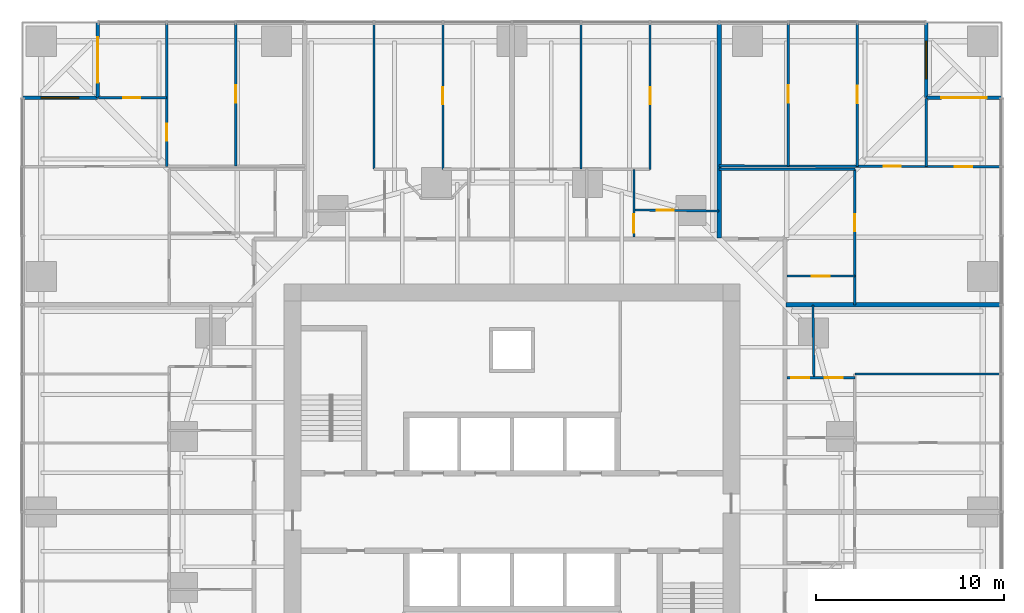
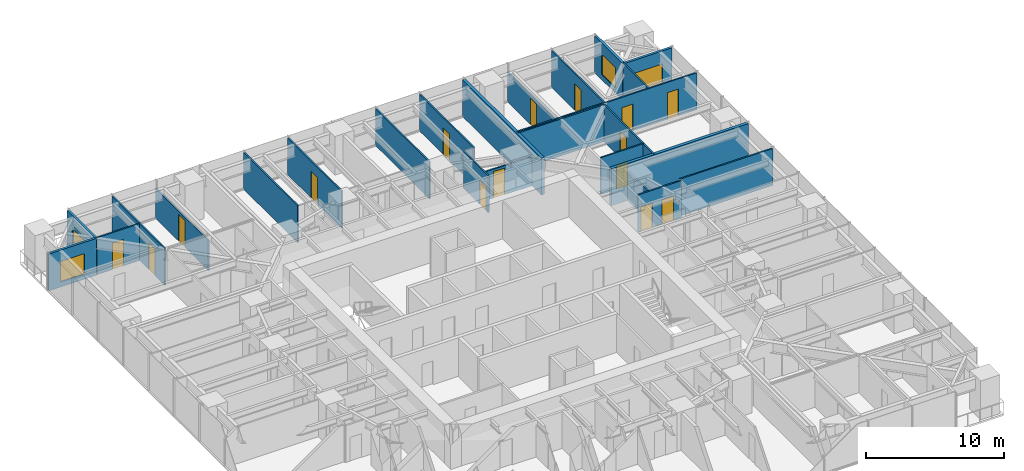
# One storey, part 14 of 16: 25 walls, 17 doors, 2 windows, 19 openings.
"""IFC4 building model written with IfcOpenShell, lengths in metres."""

from ifc_helpers import new_model, si_unit, direction, frame, frame_2d, origin, place, context, subcontext, project, spatial, rectangle, extrude, material, layer, layer_set, type_object, element, fill, save


model = new_model("IFC4")

# Units and contexts
model_context = context("Model", 3, precision=1e-05, world=origin(), true_north=direction((0.0, 1.0)))
body_context = subcontext(model_context, "Body", "Model", "MODEL_VIEW")
ifc_project = project(units=[si_unit("LENGTHUNIT", "METRE"), si_unit("AREAUNIT", "SQUARE_METRE"), si_unit("VOLUMEUNIT", "CUBIC_METRE"), si_unit("PLANEANGLEUNIT", "RADIAN"), si_unit("MASSUNIT", "GRAM", prefix="KILO")], contexts=[model_context])

# Site, building, storey
site_placement = place(None, origin())
site = spatial("IfcSite", under=ifc_project, at=site_placement, CompositionType="ELEMENT")
building_placement = place(site_placement, origin())
building = spatial("IfcBuilding", under=site, at=building_placement, Name="Torsade Residences", CompositionType="ELEMENT")
storey_placement = place(building_placement, frame((0.0, 0.0, 35.39990234375)))
storey = spatial("IfcBuildingStorey", under=building, at=storey_placement, Name="L09", CompositionType="ELEMENT", Elevation=35.39990234375)

# Wall, openings, doors
ifc_material_1 = material(Name="Plasterboard on steel stud", Category="steel")
ifc_layer_1 = layer(ifc_material_1, 0.1201171875)
ifc_layer_set_1 = layer_set([ifc_layer_1], Name="Plasterboard on steel stud")
wall_type_1 = type_object("IfcWallType", Name="PARTITION 120", PredefinedType="PARTITIONING", material=ifc_layer_set_1)
wall_1_placement = place(storey_placement, frame((58.199951171875, 37.128662109375, 0.0), z_axis=(0.0, 0.0, 1.0), x_axis=(-1.0, 0.0, 0.0)))
wall_1 = element("IfcWall", 1, at=wall_1_placement, inside=storey, type_object=wall_type_1, Name="Partition L09", PredefinedType="PARTITIONING", context=body_context, shape_type="SweptSolid", body=[
    extrude(rectangle(XDim=3.599853515625, YDim=0.1201171875, at=frame_2d((1.7998046875, 0.0))), origin(), (0.0, 0.0, 1.0), 3.25),
])
opening_1_placement = place(wall_1_placement, frame((0.629150390625, 0.0, 0.0)))
opening_1 = element("IfcOpeningElement", 2, at=opening_1_placement, cuts=wall_1, Name="Opening D05", PredefinedType="OPENING", context=body_context, shape_type="SweptSolid", body=[
    extrude(rectangle(XDim=0.9599609375, YDim=2.10009765625, at=frame_2d((0.47998046875, 1.050048828125))), frame((0.0, 0.070068359375, 0.0), z_axis=(0.0, -1.0, 0.0), x_axis=(1.0, 0.0, 0.0)), (0.0, 0.0, 1.0), 0.14013671875),
])
opening_2_placement = place(wall_1_placement, frame((2.404052734375, 0.0, 0.0)))
opening_2 = element("IfcOpeningElement", 3, at=opening_2_placement, cuts=wall_1, Name="Opening D05", PredefinedType="OPENING", context=body_context, shape_type="SweptSolid", body=[
    extrude(rectangle(XDim=0.9599609375, YDim=2.10009765625, at=frame_2d((0.47998046875, 1.050048828125))), frame((0.0, 0.070068359375, 0.0), z_axis=(0.0, -1.0, 0.0), x_axis=(1.0, 0.0, 0.0)), (0.0, 0.0, 1.0), 0.14013671875),
])
ifc_material_2 = material(Name="Hollow-core timber door in a steel cavity frame", Category="steel")
door_type_1 = type_object("IfcDoorType", Name="BATHROOM CAVITY SLIDING DOOR 960", OperationType="SLIDING_TO_LEFT", PredefinedType="DOOR", material=ifc_material_2)
door_1_placement = place(opening_1_placement, origin())
door_1 = element("IfcDoor", 4, at=door_1_placement, inside=storey, type_object=door_type_1, Name="Door Ensuite to Bedroom 1", OperationType="SLIDING_TO_LEFT", OverallHeight=2.10009765625, OverallWidth=0.9599609375, PredefinedType="DOOR", context=body_context, shape_type="SweptSolid", body=[
    extrude(rectangle(XDim=0.9599609375, YDim=2.10009765625, at=frame_2d((0.47998046875, 1.050048828125))), frame((0.0, 0.02490234375, 0.0), z_axis=(0.0, -1.0, 0.0), x_axis=(1.0, 0.0, 0.0)), (0.0, 0.0, 1.0), 0.050048828125),
])
fill(opening_1, door_1)
door_2_placement = place(opening_2_placement, origin())
door_2 = element("IfcDoor", 5, at=door_2_placement, inside=storey, type_object=door_type_1, Name="Door Ensuite to Bathroom", OperationType="SLIDING_TO_LEFT", OverallHeight=2.10009765625, OverallWidth=0.9599609375, PredefinedType="DOOR", context=body_context, shape_type="SweptSolid", body=[
    extrude(rectangle(XDim=0.9599609375, YDim=2.10009765625, at=frame_2d((0.47998046875, 1.050048828125))), frame((0.0, 0.02490234375, 0.0), z_axis=(0.0, -1.0, 0.0), x_axis=(1.0, 0.0, 0.0)), (0.0, 0.0, 1.0), 0.050048828125),
])
fill(opening_2, door_2)

# Walls
wall_2_placement = place(storey_placement, frame((55.979736328125, 41.0, 0.0), z_axis=(0.0, 0.0, 1.0), x_axis=(0.013494388256, -0.999908946597, 0.0)))
element("IfcWall", 6, at=wall_2_placement, inside=storey, type_object=wall_type_1, Name="Partition L09", PredefinedType="PARTITIONING", context=body_context, shape_type="SweptSolid", body=[
    extrude(rectangle(XDim=3.87158203125, YDim=0.1201171875, at=frame_2d((1.935791015625, 0.0))), origin(), (0.0, 0.0, 1.0), 2.549072265625),
])
wall_3_placement = place(storey_placement, frame((65.9599609375, 37.333251953125, 0.0), z_axis=(0.0, 0.0, 1.0), x_axis=(-1.0, 0.0, 0.0)))
element("IfcWall", 7, at=wall_3_placement, inside=storey, type_object=wall_type_1, Name="Partition L09", PredefinedType="PARTITIONING", context=body_context, shape_type="SweptSolid", body=[
    extrude(rectangle(XDim=7.760009765625, YDim=0.1201171875, at=frame_2d((3.8798828125, 0.0))), origin(), (0.0, 0.0, 1.0), 3.25),
])

# Wall, opening, door
wall_4_placement = place(storey_placement, frame((58.199951171875, 42.526123046875, 0.0), z_axis=(0.0, 0.0, 1.0), x_axis=(-1.0, 0.0, 0.0)))
wall_4 = element("IfcWall", 8, at=wall_4_placement, inside=storey, type_object=wall_type_1, Name="Partition L09", PredefinedType="PARTITIONING", context=body_context, shape_type="SweptSolid", body=[
    extrude(rectangle(XDim=3.599853515625, YDim=0.1201171875, at=frame_2d((1.7998046875, 0.0))), origin(), (0.0, 0.0, 1.0), 3.25),
])
opening_3_placement = place(wall_4_placement, frame((1.320068359375, 0.0, 0.0)))
opening_3 = element("IfcOpeningElement", 9, at=opening_3_placement, cuts=wall_4, Name="Opening D05", PredefinedType="OPENING", context=body_context, shape_type="SweptSolid", body=[
    extrude(rectangle(XDim=0.9599609375, YDim=2.10009765625, at=frame_2d((0.47998046875, 1.050048828125))), frame((0.0, 0.070068359375, 0.0), z_axis=(0.0, -1.0, 0.0), x_axis=(1.0, 0.0, 0.0)), (0.0, 0.0, 1.0), 0.14013671875),
])
door_3_placement = place(opening_3_placement, origin())
door_3 = element("IfcDoor", 10, at=door_3_placement, inside=storey, type_object=door_type_1, Name="Door Kitchen and dining to Bathroom", OperationType="SLIDING_TO_LEFT", OverallHeight=2.10009765625, OverallWidth=0.9599609375, PredefinedType="DOOR", context=body_context, shape_type="SweptSolid", body=[
    extrude(rectangle(XDim=0.9599609375, YDim=2.10009765625, at=frame_2d((0.47998046875, 1.050048828125))), frame((0.0, 0.02490234375, 0.0), z_axis=(0.0, -1.0, 0.0), x_axis=(1.0, 0.0, 0.0)), (0.0, 0.0, 1.0), 0.050048828125),
])
fill(opening_3, door_3)

# Wall
wall_5_placement = place(storey_placement, frame((51.0, 48.199951171875, 0.0), z_axis=(0.0, 0.0, 1.0), x_axis=(1.0, 0.0, 0.0)))
element("IfcWall", 11, at=wall_5_placement, inside=storey, type_object=wall_type_1, Name="Partition L09", PredefinedType="PARTITIONING", context=body_context, shape_type="SweptSolid", body=[
    extrude(rectangle(XDim=7.199951171875, YDim=0.1201171875, at=frame_2d((3.60009765625, 0.0))), origin(), (0.0, 0.0, 1.0), 3.25),
])

# Wall, opening, door
wall_6_placement = place(storey_placement, frame((58.199951171875, 48.199951171875, 0.0), z_axis=(0.0, 0.0, 1.0), x_axis=(0.0, -1.0, 0.0)))
wall_6 = element("IfcWall", 12, at=wall_6_placement, inside=storey, type_object=wall_type_1, Name="Partition L09", PredefinedType="PARTITIONING", context=body_context, shape_type="SweptSolid", body=[
    extrude(rectangle(XDim=7.199951171875, YDim=0.1201171875, at=frame_2d((3.60009765625, 0.0))), origin(), (0.0, 0.0, 1.0), 3.25),
])
opening_4_placement = place(wall_6_placement, frame((2.376953125, 0.0, 0.0)))
opening_4 = element("IfcOpeningElement", 13, at=opening_4_placement, cuts=wall_6, Name="Opening D02", PredefinedType="OPENING", context=body_context, shape_type="SweptSolid", body=[
    extrude(rectangle(XDim=0.919921875, YDim=2.340087890625, at=frame_2d((0.4599609375, 1.169921875))), frame((0.0, 0.070068359375, 0.0), z_axis=(0.0, -1.0, 0.0), x_axis=(1.0, 0.0, 0.0)), (0.0, 0.0, 1.0), 0.14013671875),
])
ifc_material_3 = material(Name="Hollow-core timber door", Category="wood")
door_type_2 = type_object("IfcDoorType", Name="INTERNAL DOOR 920x2340", OperationType="NOTDEFINED", PredefinedType="DOOR", material=ifc_material_3)
door_4_placement = place(opening_4_placement, origin())
door_4 = element("IfcDoor", 14, at=door_4_placement, inside=storey, type_object=door_type_2, Name="Door Kitchen and dining to Living room", OperationType="SINGLE_SWING_LEFT", OverallHeight=2.340087890625, OverallWidth=0.919921875, PredefinedType="DOOR", context=body_context, shape_type="SweptSolid", body=[
    extrude(rectangle(XDim=0.919921875, YDim=2.340087890625, at=frame_2d((0.4599609375, 1.169921875))), frame((0.0, 0.02490234375, 0.0), z_axis=(0.0, -1.0, 0.0), x_axis=(1.0, 0.0, 0.0)), (0.0, 0.0, 1.0), 0.050048828125),
])
fill(opening_4, door_4)

# Wall, openings, doors
wall_7_placement = place(storey_placement, frame((51.0, 48.38330078125, 0.0), z_axis=(0.0, 0.0, 1.0), x_axis=(0.9999944038, -0.003345499915, 0.0)))
wall_7 = element("IfcWall", 15, at=wall_7_placement, inside=storey, type_object=wall_type_1, Name="Partition L09", PredefinedType="PARTITIONING", context=body_context, shape_type="SweptSolid", body=[
    extrude(rectangle(XDim=14.9599609375, YDim=0.1201171875, at=frame_2d((7.47998046875, 0.0))), origin(), (0.0, 0.0, 1.0), 3.25),
])
opening_5_placement = place(wall_7_placement, frame((12.51513671875, 0.0, 0.0)))
opening_5 = element("IfcOpeningElement", 16, at=opening_5_placement, cuts=wall_7, Name="Opening D02", PredefinedType="OPENING", context=body_context, shape_type="SweptSolid", body=[
    extrude(rectangle(XDim=0.919921875, YDim=2.340087890625, at=frame_2d((0.4599609375, 1.169921875))), frame((0.0, 0.070068359375, 0.0), z_axis=(0.0, -1.0, 0.0), x_axis=(1.0, 0.0, 0.0)), (0.0, 0.0, 1.0), 0.14013671875),
])
opening_6_placement = place(wall_7_placement, frame((8.731689453125, 0.0, 0.0)))
opening_6 = element("IfcOpeningElement", 17, at=opening_6_placement, cuts=wall_7, Name="Opening D02", PredefinedType="OPENING", context=body_context, shape_type="SweptSolid", body=[
    extrude(rectangle(XDim=0.919921875, YDim=2.340087890625, at=frame_2d((0.4599609375, 1.169921875))), frame((0.0, 0.070068359375, 0.0), z_axis=(0.0, -1.0, 0.0), x_axis=(1.0, 0.0, 0.0)), (0.0, 0.0, 1.0), 0.14013671875),
])
door_5_placement = place(opening_5_placement, origin())
door_5 = element("IfcDoor", 18, at=door_5_placement, inside=storey, type_object=door_type_2, Name="Door Living room to Family room", OperationType="SINGLE_SWING_LEFT", OverallHeight=2.340087890625, OverallWidth=0.919921875, PredefinedType="DOOR", context=body_context, shape_type="SweptSolid", body=[
    extrude(rectangle(XDim=0.919921875, YDim=2.340087890625, at=frame_2d((0.4599609375, 1.169921875))), frame((0.0, 0.02490234375, 0.0), z_axis=(0.0, -1.0, 0.0), x_axis=(1.0, 0.0, 0.0)), (0.0, 0.0, 1.0), 0.050048828125),
])
fill(opening_5, door_5)
door_6_placement = place(opening_6_placement, origin())
door_6 = element("IfcDoor", 19, at=door_6_placement, inside=storey, type_object=door_type_2, Name="Door Living room to Bedroom 1", OperationType="SINGLE_SWING_RIGHT", OverallHeight=2.340087890625, OverallWidth=0.919921875, PredefinedType="DOOR", context=body_context, shape_type="SweptSolid", body=[
    extrude(rectangle(XDim=0.919921875, YDim=2.340087890625, at=frame_2d((0.4599609375, 1.169921875))), frame((0.0, 0.02490234375, 0.0), z_axis=(0.0, -1.0, 0.0), x_axis=(1.0, 0.0, 0.0)), (0.0, 0.0, 1.0), 0.050048828125),
])
fill(opening_6, door_6)

# Wall, opening, door
wall_8_placement = place(storey_placement, frame((58.333251953125, 48.333251953125, 0.0), z_axis=(0.0, 0.0, 1.0), x_axis=(0.0, 1.0, 0.0)))
wall_8 = element("IfcWall", 20, at=wall_8_placement, inside=storey, type_object=wall_type_1, Name="Partition L09", PredefinedType="PARTITIONING", context=body_context, shape_type="SweptSolid", body=[
    extrude(rectangle(XDim=7.626708984375, YDim=0.1201171875, at=frame_2d((3.8134765625, 0.0))), origin(), (0.0, 0.0, 1.0), 3.25),
])
opening_7_placement = place(wall_8_placement, frame((3.373291015625, 0.0, 0.0)))
opening_7 = element("IfcOpeningElement", 21, at=opening_7_placement, cuts=wall_8, Name="Opening D02", PredefinedType="OPENING", context=body_context, shape_type="SweptSolid", body=[
    extrude(rectangle(XDim=0.919921875, YDim=2.340087890625, at=frame_2d((0.4599609375, 1.169921875))), frame((0.0, 0.070068359375, 0.0), z_axis=(0.0, -1.0, 0.0), x_axis=(1.0, 0.0, 0.0)), (0.0, 0.0, 1.0), 0.14013671875),
])
door_7_placement = place(opening_7_placement, origin())
door_7 = element("IfcDoor", 22, at=door_7_placement, inside=storey, type_object=door_type_2, Name="Door Bedroom 1 to Study", OperationType="SINGLE_SWING_RIGHT", OverallHeight=2.340087890625, OverallWidth=0.919921875, PredefinedType="DOOR", context=body_context, shape_type="SweptSolid", body=[
    extrude(rectangle(XDim=0.919921875, YDim=2.340087890625, at=frame_2d((0.4599609375, 1.169921875))), frame((0.0, 0.02490234375, 0.0), z_axis=(0.0, -1.0, 0.0), x_axis=(1.0, 0.0, 0.0)), (0.0, 0.0, 1.0), 0.050048828125),
])
fill(opening_7, door_7)

# Wall
wall_9_placement = place(storey_placement, frame((62.0, 51.9599609375, 0.0), z_axis=(0.0, 0.0, 1.0), x_axis=(0.0, -1.0, 0.0)))
element("IfcWall", 23, at=wall_9_placement, inside=storey, type_object=wall_type_1, Name="Partition L09", PredefinedType="PARTITIONING", context=body_context, shape_type="SweptSolid", body=[
    extrude(rectangle(XDim=3.626708984375, YDim=0.1201171875, at=frame_2d((1.8134765625, 0.0))), origin(), (0.0, 0.0, 1.0), 3.25),
])

# Wall, opening, door
wall_10_placement = place(storey_placement, frame((54.666748046875, 55.9599609375, 0.0), z_axis=(0.0, 0.0, 1.0), x_axis=(0.0, -1.0, 0.0)))
wall_10 = element("IfcWall", 24, at=wall_10_placement, inside=storey, type_object=wall_type_1, Name="Partition L09", PredefinedType="PARTITIONING", context=body_context, shape_type="SweptSolid", body=[
    extrude(rectangle(XDim=7.57666015625, YDim=0.1201171875, at=frame_2d((3.788330078125, 0.0))), origin(), (0.0, 0.0, 1.0), 2.63818359375),
])
opening_8_placement = place(wall_10_placement, frame((3.308349609375, 0.0, 0.0)))
opening_8 = element("IfcOpeningElement", 25, at=opening_8_placement, cuts=wall_10, Name="Opening D02", PredefinedType="OPENING", context=body_context, shape_type="SweptSolid", body=[
    extrude(rectangle(XDim=0.919921875, YDim=2.340087890625, at=frame_2d((0.4599609375, 1.169921875))), frame((0.0, 0.070068359375, 0.0), z_axis=(0.0, -1.0, 0.0), x_axis=(1.0, 0.0, 0.0)), (0.0, 0.0, 1.0), 0.14013671875),
])
door_8_placement = place(opening_8_placement, origin())
door_8 = element("IfcDoor", 26, at=door_8_placement, inside=storey, type_object=door_type_2, Name="Door Study to Bedroom 2", OperationType="SINGLE_SWING_LEFT", OverallHeight=2.340087890625, OverallWidth=0.919921875, PredefinedType="DOOR", context=body_context, shape_type="SweptSolid", body=[
    extrude(rectangle(XDim=0.919921875, YDim=2.340087890625, at=frame_2d((0.4599609375, 1.169921875))), frame((0.0, 0.02490234375, 0.0), z_axis=(0.0, -1.0, 0.0), x_axis=(1.0, 0.0, 0.0)), (0.0, 0.0, 1.0), 0.050048828125),
])
fill(opening_8, door_8)

wall_11_placement = place(storey_placement, frame((46.472900390625, 44.60009765625, 0.0), z_axis=(0.0, 0.0, 1.0), x_axis=(0.0, 1.0, 0.0)))
wall_11 = element("IfcWall", 27, at=wall_11_placement, inside=storey, type_object=wall_type_1, Name="Partition L09", PredefinedType="PARTITIONING", context=body_context, shape_type="SweptSolid", body=[
    extrude(rectangle(XDim=3.599853515625, YDim=0.1201171875, at=frame_2d((1.7998046875, 0.0))), origin(), (0.0, 0.0, 1.0), 3.25),
])
opening_9_placement = place(wall_11_placement, frame((0.240234375, 0.0, 0.0)))
opening_9 = element("IfcOpeningElement", 28, at=opening_9_placement, cuts=wall_11, Name="Opening D05", PredefinedType="OPENING", context=body_context, shape_type="SweptSolid", body=[
    extrude(rectangle(XDim=0.9599609375, YDim=2.10009765625, at=frame_2d((0.47998046875, 1.050048828125))), frame((0.0, 0.070068359375, 0.0), z_axis=(0.0, -1.0, 0.0), x_axis=(1.0, 0.0, 0.0)), (0.0, 0.0, 1.0), 0.14013671875),
])
door_9_placement = place(opening_9_placement, origin())
door_9 = element("IfcDoor", 29, at=door_9_placement, inside=storey, type_object=door_type_1, Name="Door Kitchen and dining to Ensuite", OperationType="SLIDING_TO_LEFT", OverallHeight=2.10009765625, OverallWidth=0.9599609375, PredefinedType="DOOR", context=body_context, shape_type="SweptSolid", body=[
    extrude(rectangle(XDim=0.9599609375, YDim=2.10009765625, at=frame_2d((0.47998046875, 1.050048828125))), frame((0.0, 0.02490234375, 0.0), z_axis=(0.0, -1.0, 0.0), x_axis=(1.0, 0.0, 0.0)), (0.0, 0.0, 1.0), 0.050048828125),
])
fill(opening_9, door_9)

wall_12_placement = place(storey_placement, frame((46.472900390625, 46.040771484375, 0.0), z_axis=(0.0, 0.0, 1.0), x_axis=(0.999909127846, -0.013480951408, 0.0)))
wall_12 = element("IfcWall", 30, at=wall_12_placement, inside=storey, type_object=wall_type_1, Name="Partition L09", PredefinedType="PARTITIONING", context=body_context, shape_type="SweptSolid", body=[
    extrude(rectangle(XDim=4.527587890625, YDim=0.1201171875, at=frame_2d((2.263671875, 0.0))), origin(), (0.0, 0.0, 1.0), 2.549072265625),
])
opening_10_placement = place(wall_12_placement, frame((1.203857421875, 0.0, 0.0)))
opening_10 = element("IfcOpeningElement", 31, at=opening_10_placement, cuts=wall_12, Name="Opening D02", PredefinedType="OPENING", context=body_context, shape_type="SweptSolid", body=[
    extrude(rectangle(XDim=0.919921875, YDim=2.340087890625, at=frame_2d((0.4599609375, 1.169921875))), frame((0.0, 0.070068359375, 0.0), z_axis=(0.0, -1.0, 0.0), x_axis=(1.0, 0.0, 0.0)), (0.0, 0.0, 1.0), 0.14013671875),
])
door_10_placement = place(opening_10_placement, origin())
door_10 = element("IfcDoor", 32, at=door_10_placement, inside=storey, type_object=door_type_2, Name="Door Kitchen and dining to Living room", OperationType="SINGLE_SWING_RIGHT", OverallHeight=2.340087890625, OverallWidth=0.919921875, PredefinedType="DOOR", context=body_context, shape_type="SweptSolid", body=[
    extrude(rectangle(XDim=0.919921875, YDim=2.340087890625, at=frame_2d((0.4599609375, 1.169921875))), frame((0.0, 0.02490234375, 0.0), z_axis=(0.0, -1.0, 0.0), x_axis=(1.0, 0.0, 0.0)), (0.0, 0.0, 1.0), 0.050048828125),
])
fill(opening_10, door_10)

wall_13_placement = place(storey_placement, frame((47.333251953125, 48.199951171875, 0.0), z_axis=(0.0, 0.0, 1.0), x_axis=(0.0, 1.0, 0.0)))
wall_13 = element("IfcWall", 33, at=wall_13_placement, inside=storey, type_object=wall_type_1, Name="Partition L09", PredefinedType="PARTITIONING", context=body_context, shape_type="SweptSolid", body=[
    extrude(rectangle(XDim=7.760009765625, YDim=0.1201171875, at=frame_2d((3.8798828125, 0.0))), origin(), (0.0, 0.0, 1.0), 3.25),
])
opening_11_placement = place(wall_13_placement, frame((3.43994140625, 0.0, 0.0)))
opening_11 = element("IfcOpeningElement", 34, at=opening_11_placement, cuts=wall_13, Name="Opening D02", PredefinedType="OPENING", context=body_context, shape_type="SweptSolid", body=[
    extrude(rectangle(XDim=0.919921875, YDim=2.340087890625, at=frame_2d((0.4599609375, 1.169921875))), frame((0.0, 0.070068359375, 0.0), z_axis=(0.0, -1.0, 0.0), x_axis=(1.0, 0.0, 0.0)), (0.0, 0.0, 1.0), 0.14013671875),
])
door_11_placement = place(opening_11_placement, origin())
door_11 = element("IfcDoor", 35, at=door_11_placement, inside=storey, type_object=door_type_2, Name="Door Living room to Bedroom 2", OperationType="SINGLE_SWING_RIGHT", OverallHeight=2.340087890625, OverallWidth=0.919921875, PredefinedType="DOOR", context=body_context, shape_type="SweptSolid", body=[
    extrude(rectangle(XDim=0.919921875, YDim=2.340087890625, at=frame_2d((0.4599609375, 1.169921875))), frame((0.0, 0.02490234375, 0.0), z_axis=(0.0, -1.0, 0.0), x_axis=(1.0, 0.0, 0.0)), (0.0, 0.0, 1.0), 0.050048828125),
])
fill(opening_11, door_11)

# Wall
wall_14_placement = place(storey_placement, frame((43.666748046875, 55.9599609375, 0.0), z_axis=(0.0, 0.0, 1.0), x_axis=(0.0, -1.0, 0.0)))
element("IfcWall", 36, at=wall_14_placement, inside=storey, type_object=wall_type_1, Name="Partition L09", PredefinedType="PARTITIONING", context=body_context, shape_type="SweptSolid", body=[
    extrude(rectangle(XDim=7.760009765625, YDim=0.1201171875, at=frame_2d((3.8798828125, 0.0))), origin(), (0.0, 0.0, 1.0), 3.25),
])

# Wall, opening, door
wall_15_placement = place(storey_placement, frame((36.333251953125, 48.199951171875, 0.0), z_axis=(0.0, 0.0, 1.0), x_axis=(0.0, 1.0, 0.0)))
wall_15 = element("IfcWall", 37, at=wall_15_placement, inside=storey, type_object=wall_type_1, Name="Partition L09", PredefinedType="PARTITIONING", context=body_context, shape_type="SweptSolid", body=[
    extrude(rectangle(XDim=7.760009765625, YDim=0.1201171875, at=frame_2d((3.8798828125, 0.0))), origin(), (0.0, 0.0, 1.0), 3.25),
])
opening_12_placement = place(wall_15_placement, frame((3.43994140625, 0.0, 0.0)))
opening_12 = element("IfcOpeningElement", 38, at=opening_12_placement, cuts=wall_15, Name="Opening D02", PredefinedType="OPENING", context=body_context, shape_type="SweptSolid", body=[
    extrude(rectangle(XDim=0.919921875, YDim=2.340087890625, at=frame_2d((0.4599609375, 1.169921875))), frame((0.0, 0.070068359375, 0.0), z_axis=(0.0, -1.0, 0.0), x_axis=(1.0, 0.0, 0.0)), (0.0, 0.0, 1.0), 0.14013671875),
])
door_12_placement = place(opening_12_placement, origin())
door_12 = element("IfcDoor", 39, at=door_12_placement, inside=storey, type_object=door_type_2, Name="Door Living room to Bedroom 2", OperationType="SINGLE_SWING_LEFT", OverallHeight=2.340087890625, OverallWidth=0.919921875, PredefinedType="DOOR", context=body_context, shape_type="SweptSolid", body=[
    extrude(rectangle(XDim=0.919921875, YDim=2.340087890625, at=frame_2d((0.4599609375, 1.169921875))), frame((0.0, 0.02490234375, 0.0), z_axis=(0.0, -1.0, 0.0), x_axis=(1.0, 0.0, 0.0)), (0.0, 0.0, 1.0), 0.050048828125),
])
fill(opening_12, door_12)

# Wall
wall_16_placement = place(storey_placement, frame((32.666748046875, 55.9599609375, 0.0), z_axis=(0.0, 0.0, 1.0), x_axis=(0.0, -1.0, 0.0)))
element("IfcWall", 40, at=wall_16_placement, inside=storey, type_object=wall_type_1, Name="Partition L09", PredefinedType="PARTITIONING", context=body_context, shape_type="SweptSolid", body=[
    extrude(rectangle(XDim=7.760009765625, YDim=0.1201171875, at=frame_2d((3.8798828125, 0.0))), origin(), (0.0, 0.0, 1.0), 3.25),
])

# Wall, opening, door
wall_17_placement = place(storey_placement, frame((21.666748046875, 55.9599609375, 0.0), z_axis=(0.0, 0.0, 1.0), x_axis=(0.0, -1.0, 0.0)))
wall_17 = element("IfcWall", 41, at=wall_17_placement, inside=storey, type_object=wall_type_1, Name="Partition L09", PredefinedType="PARTITIONING", context=body_context, shape_type="SweptSolid", body=[
    extrude(rectangle(XDim=7.626708984375, YDim=0.1201171875, at=frame_2d((3.8134765625, 0.0))), origin(), (0.0, 0.0, 1.0), 3.25),
])
opening_13_placement = place(wall_17_placement, frame((5.333251953125, 0.0, 0.0)))
opening_13 = element("IfcOpeningElement", 42, at=opening_13_placement, cuts=wall_17, Name="Opening D02", PredefinedType="OPENING", context=body_context, shape_type="SweptSolid", body=[
    extrude(rectangle(XDim=0.919921875, YDim=2.340087890625, at=frame_2d((0.4599609375, 1.169921875))), frame((0.0, 0.070068359375, 0.0), z_axis=(0.0, -1.0, 0.0), x_axis=(1.0, 0.0, 0.0)), (0.0, 0.0, 1.0), 0.14013671875),
])
door_13_placement = place(opening_13_placement, origin())
door_13 = element("IfcDoor", 43, at=door_13_placement, inside=storey, type_object=door_type_2, Name="Door Bedroom 1 to Study", OperationType="SINGLE_SWING_RIGHT", OverallHeight=2.340087890625, OverallWidth=0.919921875, PredefinedType="DOOR", context=body_context, shape_type="SweptSolid", body=[
    extrude(rectangle(XDim=0.919921875, YDim=2.340087890625, at=frame_2d((0.4599609375, 1.169921875))), frame((0.0, 0.02490234375, 0.0), z_axis=(0.0, -1.0, 0.0), x_axis=(1.0, 0.0, 0.0)), (0.0, 0.0, 1.0), 0.050048828125),
])
fill(opening_13, door_13)

wall_18_placement = place(storey_placement, frame((18.0400390625, 52.0, 0.0), z_axis=(0.0, 0.0, 1.0), x_axis=(1.0, 0.0, 0.0)))
wall_18 = element("IfcWall", 44, at=wall_18_placement, inside=storey, type_object=wall_type_1, Name="Partition L09", PredefinedType="PARTITIONING", context=body_context, shape_type="SweptSolid", body=[
    extrude(rectangle(XDim=3.626708984375, YDim=0.1201171875, at=frame_2d((1.8134765625, 0.0))), origin(), (0.0, 0.0, 1.0), 3.25),
])
opening_14_placement = place(wall_18_placement, frame((1.308349609375, 0.0, 0.0)))
opening_14 = element("IfcOpeningElement", 45, at=opening_14_placement, cuts=wall_18, Name="Opening D02", PredefinedType="OPENING", context=body_context, shape_type="SweptSolid", body=[
    extrude(rectangle(XDim=0.919921875, YDim=2.340087890625, at=frame_2d((0.4599609375, 1.169921875))), frame((0.0, 0.070068359375, 0.0), z_axis=(0.0, -1.0, 0.0), x_axis=(1.0, 0.0, 0.0)), (0.0, 0.0, 1.0), 0.14013671875),
])
door_14_placement = place(opening_14_placement, origin())
door_14 = element("IfcDoor", 46, at=door_14_placement, inside=storey, type_object=door_type_2, Name="Door Bedroom 1 to Family room", OperationType="SINGLE_SWING_RIGHT", OverallHeight=2.340087890625, OverallWidth=0.919921875, PredefinedType="DOOR", context=body_context, shape_type="SweptSolid", body=[
    extrude(rectangle(XDim=0.919921875, YDim=2.340087890625, at=frame_2d((0.4599609375, 1.169921875))), frame((0.0, 0.02490234375, 0.0), z_axis=(0.0, -1.0, 0.0), x_axis=(1.0, 0.0, 0.0)), (0.0, 0.0, 1.0), 0.050048828125),
])
fill(opening_14, door_14)

wall_19_placement = place(storey_placement, frame((25.333251953125, 48.38330078125, 0.0), z_axis=(0.0, 0.0, 1.0), x_axis=(0.0, 1.0, 0.0)))
wall_19 = element("IfcWall", 47, at=wall_19_placement, inside=storey, type_object=wall_type_1, Name="Partition L09", PredefinedType="PARTITIONING", context=body_context, shape_type="SweptSolid", body=[
    extrude(rectangle(XDim=7.57666015625, YDim=0.1201171875, at=frame_2d((3.788330078125, 0.0))), origin(), (0.0, 0.0, 1.0), 2.63818359375),
])
opening_15_placement = place(wall_19_placement, frame((3.348388671875, 0.0, 0.0)))
opening_15 = element("IfcOpeningElement", 48, at=opening_15_placement, cuts=wall_19, Name="Opening D02", PredefinedType="OPENING", context=body_context, shape_type="SweptSolid", body=[
    extrude(rectangle(XDim=0.919921875, YDim=2.340087890625, at=frame_2d((0.4599609375, 1.169921875))), frame((0.0, 0.070068359375, 0.0), z_axis=(0.0, -1.0, 0.0), x_axis=(1.0, 0.0, 0.0)), (0.0, 0.0, 1.0), 0.14013671875),
])
door_15_placement = place(opening_15_placement, origin())
door_15 = element("IfcDoor", 49, at=door_15_placement, inside=storey, type_object=door_type_2, Name="Door Study to Bedroom 2", OperationType="SINGLE_SWING_RIGHT", OverallHeight=2.340087890625, OverallWidth=0.919921875, PredefinedType="DOOR", context=body_context, shape_type="SweptSolid", body=[
    extrude(rectangle(XDim=0.919921875, YDim=2.340087890625, at=frame_2d((0.4599609375, 1.169921875))), frame((0.0, 0.02490234375, 0.0), z_axis=(0.0, -1.0, 0.0), x_axis=(1.0, 0.0, 0.0)), (0.0, 0.0, 1.0), 0.050048828125),
])
fill(opening_15, door_15)

# Walls
ifc_material_4 = material(Name="Masonry-lined stud party wall", Category="masonry")
ifc_layer_2 = layer(ifc_material_4, 0.25)
ifc_layer_set_2 = layer_set([ifc_layer_2], Name="Masonry-lined stud party wall")
wall_type_2 = type_object("IfcWallType", Name="PARTY WALL 250", PredefinedType="PARTITIONING", material=ifc_layer_set_2)
for number, where, z_axis, x_axis, name in (
    (50, (66.0, 41.0, 0.0), (0.0, 0.0, 1.0), (-1.0, 0.0, 0.0), "Party wall L09"),
    (51, (51.0, 56.0, 0.0), (0.0, 0.0, 1.0), (0.0, -1.0, 0.0), "Party wall L09"),
):
    element("IfcWall", number, at=place(storey_placement, frame(where, z_axis=z_axis, x_axis=x_axis)), inside=storey, type_object=wall_type_2, Name=name, PredefinedType="PARTITIONING", context=body_context, shape_type="SweptSolid", body=[
        extrude(rectangle(XDim=11.43994140625, YDim=0.25, at=frame_2d((5.719970703125, 0.0))), origin(), (0.0, 0.0, 1.0), 3.25),
    ])

# Wall, opening, door
ifc_material_5 = material(Name="Stone-faced precast concrete 40 MPa panel", Category="masonry")
ifc_layer_3 = layer(ifc_material_5, 0.199951171875)
ifc_layer_set_3 = layer_set([ifc_layer_3], Name="Stone-faced precast concrete 40 MPa panel")
wall_type_3 = type_object("IfcWallType", Name="TERRACE WALL 200", PredefinedType="SOLIDWALL", material=ifc_layer_set_3)
wall_20_placement = place(storey_placement, frame((66.0, 52.0, 0.0), z_axis=(0.0, 0.0, 1.0), x_axis=(-1.0, 0.0, 0.0)))
wall_20 = element("IfcWall", 52, at=wall_20_placement, inside=storey, type_object=wall_type_3, Name="Terrace wall L09 5", PredefinedType="SOLIDWALL", context=body_context, shape_type="SweptSolid", body=[
    extrude(rectangle(XDim=4.0, YDim=0.199951171875, at=frame_2d((2.0, 0.0))), origin(), (0.0, 0.0, 1.0), 3.25),
])
opening_16_placement = place(wall_20_placement, frame((0.800048828125, 0.0, 0.0)))
opening_16 = element("IfcOpeningElement", 53, at=opening_16_placement, cuts=wall_20, Name="Opening D10A", PredefinedType="OPENING", context=body_context, shape_type="SweptSolid", body=[
    extrude(rectangle(XDim=2.39990234375, YDim=2.10009765625, at=frame_2d((1.199951171875, 1.050048828125))), frame((0.0, 0.10986328125, 0.0), z_axis=(0.0, -1.0, 0.0), x_axis=(1.0, 0.0, 0.0)), (0.0, 0.0, 1.0), 0.219970703125),
])
ifc_material_6 = material(Name="Aluminium-framed glass door", Category="aluminium")
door_type_3 = type_object("IfcDoorType", Name="TERRACE SLIDING DOOR 2400x2100", OperationType="SLIDING_TO_LEFT", PredefinedType="DOOR", material=ifc_material_6)
door_16_placement = place(opening_16_placement, origin())
door_16 = element("IfcDoor", 54, at=door_16_placement, inside=storey, type_object=door_type_3, Name="Terrace door L09 5", OperationType="SLIDING_TO_LEFT", OverallHeight=2.10009765625, OverallWidth=2.39990234375, PredefinedType="DOOR", context=body_context, shape_type="SweptSolid", body=[
    extrude(rectangle(XDim=2.39990234375, YDim=2.10009765625, at=frame_2d((1.199951171875, 1.050048828125))), frame((0.0, 0.02490234375, 0.0), z_axis=(0.0, -1.0, 0.0), x_axis=(1.0, 0.0, 0.0)), (0.0, 0.0, 1.0), 0.050048828125),
])
fill(opening_16, door_16)

# Wall, opening, window
wall_21_placement = place(storey_placement, frame((62.0, 52.0, 0.0), z_axis=(0.0, 0.0, 1.0), x_axis=(0.0, 1.0, 0.0)))
wall_21 = element("IfcWall", 55, at=wall_21_placement, inside=storey, type_object=wall_type_3, Name="Terrace wall L09 6", PredefinedType="SOLIDWALL", context=body_context, shape_type="SweptSolid", body=[
    extrude(rectangle(XDim=4.0, YDim=0.199951171875, at=frame_2d((2.0, 0.0))), origin(), (0.0, 0.0, 1.0), 3.25),
])
opening_17_placement = place(wall_21_placement, frame((1.0, 0.0, 0.449951171875)))
opening_17 = element("IfcOpeningElement", 56, at=opening_17_placement, cuts=wall_21, Name="Opening W1B", PredefinedType="OPENING", context=body_context, shape_type="SweptSolid", body=[
    extrude(rectangle(XDim=2.0, YDim=1.800048828125, at=frame_2d((1.0, 0.89990234375))), frame((0.0, 0.10986328125, 0.0), z_axis=(0.0, -1.0, 0.0), x_axis=(1.0, 0.0, 0.0)), (0.0, 0.0, 1.0), 0.219970703125),
])
ifc_material_7 = material(Name="Aluminium-framed glass window", Category="aluminium")
window_type = type_object("IfcWindowType", Name="TERRACE WINDOW 2000x1800", PartitioningType="SINGLE_PANEL", PredefinedType="WINDOW", material=ifc_material_7)
window_1_placement = place(opening_17_placement, origin())
window_1 = element("IfcWindow", 57, at=window_1_placement, inside=storey, type_object=window_type, Name="Terrace window L09 6", OverallHeight=1.800048828125, OverallWidth=2.0, PartitioningType="SINGLE_PANEL", PredefinedType="WINDOW", context=body_context, shape_type="SweptSolid", body=[
    extrude(rectangle(XDim=2.0, YDim=1.800048828125, at=frame_2d((1.0, 0.89990234375))), frame((0.0, 0.030029296875, 0.0), z_axis=(0.0, -1.0, 0.0), x_axis=(1.0, 0.0, 0.0)), (0.0, 0.0, 1.0), 0.06005859375),
])
fill(opening_17, window_1)

# Wall, opening, door
wall_22_placement = place(storey_placement, frame((18.0, 56.0, 0.0), z_axis=(0.0, 0.0, 1.0), x_axis=(0.0, -1.0, 0.0)))
wall_22 = element("IfcWall", 58, at=wall_22_placement, inside=storey, type_object=wall_type_3, Name="Terrace wall L09 8", PredefinedType="SOLIDWALL", context=body_context, shape_type="SweptSolid", body=[
    extrude(rectangle(XDim=4.0, YDim=0.199951171875, at=frame_2d((2.0, 0.0))), origin(), (0.0, 0.0, 1.0), 3.25),
])
opening_18_placement = place(wall_22_placement, frame((0.800048828125, 0.0, 0.0)))
opening_18 = element("IfcOpeningElement", 59, at=opening_18_placement, cuts=wall_22, Name="Opening D10A", PredefinedType="OPENING", context=body_context, shape_type="SweptSolid", body=[
    extrude(rectangle(XDim=2.39990234375, YDim=2.10009765625, at=frame_2d((1.199951171875, 1.050048828125))), frame((0.0, 0.10986328125, 0.0), z_axis=(0.0, -1.0, 0.0), x_axis=(1.0, 0.0, 0.0)), (0.0, 0.0, 1.0), 0.219970703125),
])
door_17_placement = place(opening_18_placement, origin())
door_17 = element("IfcDoor", 60, at=door_17_placement, inside=storey, type_object=door_type_3, Name="Terrace door L09 8", OperationType="SLIDING_TO_LEFT", OverallHeight=2.10009765625, OverallWidth=2.39990234375, PredefinedType="DOOR", context=body_context, shape_type="SweptSolid", body=[
    extrude(rectangle(XDim=2.39990234375, YDim=2.10009765625, at=frame_2d((1.199951171875, 1.050048828125))), frame((0.0, 0.02490234375, 0.0), z_axis=(0.0, -1.0, 0.0), x_axis=(1.0, 0.0, 0.0)), (0.0, 0.0, 1.0), 0.050048828125),
])
fill(opening_18, door_17)

# Wall, opening, window
wall_23_placement = place(storey_placement, frame((18.0, 52.0, 0.0), z_axis=(0.0, 0.0, 1.0), x_axis=(-1.0, 0.0, 0.0)))
wall_23 = element("IfcWall", 61, at=wall_23_placement, inside=storey, type_object=wall_type_3, Name="Terrace wall L09 9", PredefinedType="SOLIDWALL", context=body_context, shape_type="SweptSolid", body=[
    extrude(rectangle(XDim=4.0, YDim=0.199951171875, at=frame_2d((2.0, 0.0))), origin(), (0.0, 0.0, 1.0), 3.25),
])
opening_19_placement = place(wall_23_placement, frame((1.0, 0.0, 0.449951171875)))
opening_19 = element("IfcOpeningElement", 62, at=opening_19_placement, cuts=wall_23, Name="Opening W1B", PredefinedType="OPENING", context=body_context, shape_type="SweptSolid", body=[
    extrude(rectangle(XDim=2.0, YDim=1.800048828125, at=frame_2d((1.0, 0.89990234375))), frame((0.0, 0.10986328125, 0.0), z_axis=(0.0, -1.0, 0.0), x_axis=(1.0, 0.0, 0.0)), (0.0, 0.0, 1.0), 0.219970703125),
])
window_2_placement = place(opening_19_placement, origin())
window_2 = element("IfcWindow", 63, at=window_2_placement, inside=storey, type_object=window_type, Name="Terrace window L09 9", OverallHeight=1.800048828125, OverallWidth=2.0, PartitioningType="SINGLE_PANEL", PredefinedType="WINDOW", context=body_context, shape_type="SweptSolid", body=[
    extrude(rectangle(XDim=2.0, YDim=1.800048828125, at=frame_2d((1.0, 0.89990234375))), frame((0.0, 0.030029296875, 0.0), z_axis=(0.0, -1.0, 0.0), x_axis=(1.0, 0.0, 0.0)), (0.0, 0.0, 1.0), 0.06005859375),
])
fill(opening_19, window_2)

save(model, "model.ifc")
